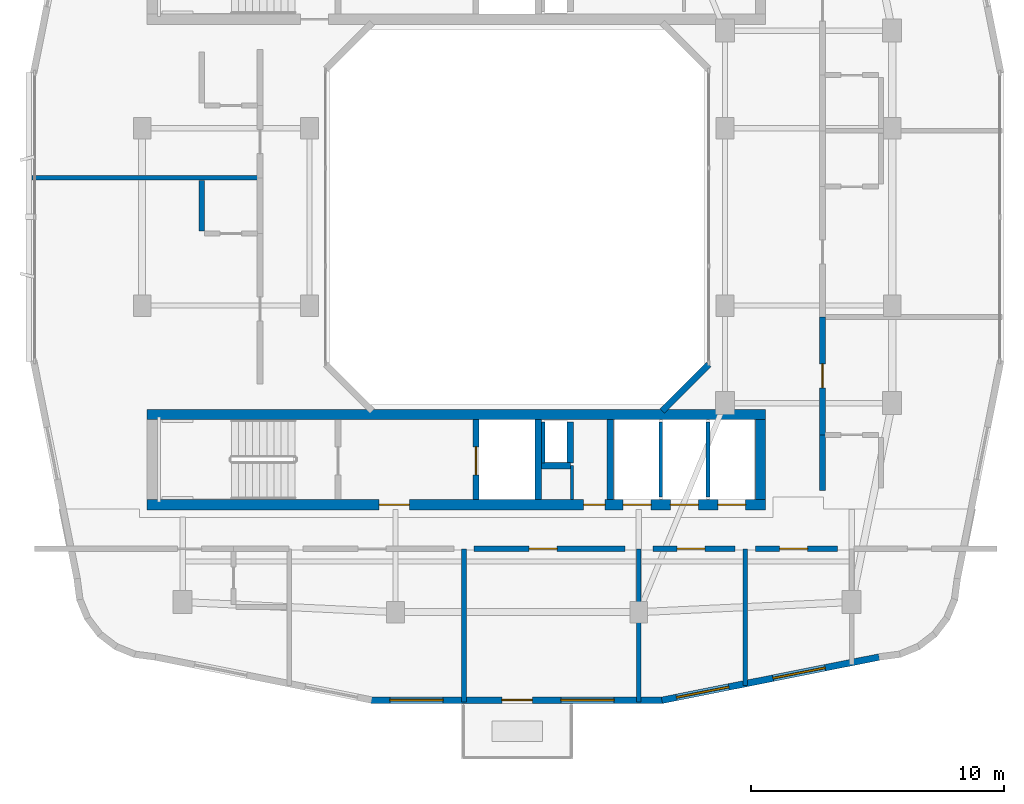
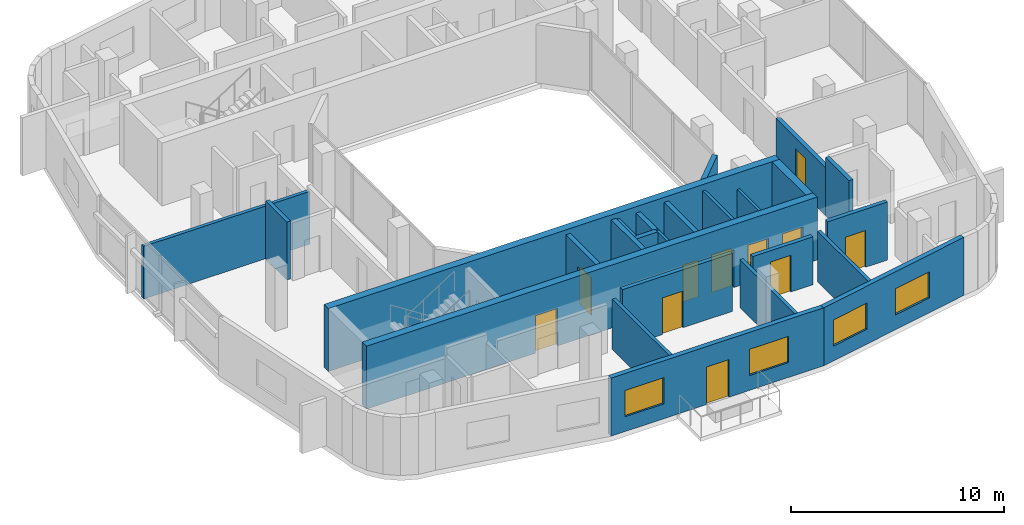
# One storey, part 6 of 13: 25 walls, 11 doors, 4 windows, 15 openings.
"""IFC4 building model written with IfcOpenShell, lengths in metres."""

import ifcopenshell
import ifcopenshell.guid

model = None  # the IFC model being written
_history = None  # IfcOwnerHistory: only IFC2X3 demands one
_inside = {}  # id of a spatial element -> (the spatial element, [elements in it])
_under = {}  # id of a project, library or spatial element -> (it, [spatial elements below it])
_declared = {}  # id of a project -> (the project, [libraries it declares])
_typed = {}  # id of a type object -> (the type object, [elements of that type])
_made_of = {}  # id of a material, layer set ... -> (it, [elements and type objects made of it])


def new_model(schema):
    """Start an empty IFC model of exactly this schema.

    Asked for "IFC4X3", IfcOpenShell would pick the latest addendum, in which some entities
    have other attributes; the version numbers below select the first issue.
    IFC2X3 requires an IfcOwnerHistory on every rooted entity: one is made here for all.
    """
    global model, _history
    if schema == "IFC4X3":
        model = ifcopenshell.file(schema_version=(4, 3, 0, 0))
    else:
        model = ifcopenshell.file(schema=schema)
    _inside.clear()
    _under.clear()
    _declared.clear()
    _typed.clear()
    _made_of.clear()
    _history = None
    if model.schema == "IFC2X3":
        org = make("IfcOrganization", Name="unknown")
        user = make(
            "IfcPersonAndOrganization",
            ThePerson=make("IfcPerson", FamilyName="unknown"),
            TheOrganization=org,
        )
        app = make(
            "IfcApplication",
            ApplicationDeveloper=org,
            Version="unknown",
            ApplicationFullName="unknown",
            ApplicationIdentifier="unknown",
        )
        _history = make(
            "IfcOwnerHistory",
            OwningUser=user,
            OwningApplication=app,
            ChangeAction="ADDED",
            CreationDate=0,
        )
    return model


def make(cls, **values):
    """One entity of the class cls with the attributes given. An attribute that is None is left unset."""
    return model.create_entity(
        cls, **{name: value for name, value in values.items() if value is not None}
    )


def rooted(cls, **values):
    """An entity with a GlobalId (a new one), such as an element, a storey or a relation."""
    return make(cls, GlobalId=ifcopenshell.guid.new(), OwnerHistory=_history, **values)


def si_unit(unit_type, name, prefix=None):
    """IfcSIUnit, for example si_unit("LENGTHUNIT", "METRE", prefix="MILLI")."""
    return make("IfcSIUnit", UnitType=unit_type, Prefix=prefix, Name=name)


def derived_unit(unit_type, elements):
    """IfcDerivedUnit: a product of units, each with its exponent."""
    return make(
        "IfcDerivedUnit",
        Elements=[
            make("IfcDerivedUnitElement", Unit=unit, Exponent=power)
            for unit, power in elements
        ],
        UnitType=unit_type,
    )


def assignment(units):
    """IfcUnitAssignment: the units of a project."""
    return None if units is None else make("IfcUnitAssignment", Units=units)


def point(xyz):
    """IfcCartesianPoint."""
    return None if xyz is None else make("IfcCartesianPoint", Coordinates=xyz)


def direction(xyz):
    """IfcDirection."""
    return None if xyz is None else make("IfcDirection", DirectionRatios=xyz)


def frame(location, z_axis=None, x_axis=None):
    """IfcAxis2Placement3D, a coordinate frame: its origin and axes. An axis left out is left unset."""
    return make(
        "IfcAxis2Placement3D",
        Location=point(location),
        Axis=direction(z_axis),
        RefDirection=direction(x_axis),
    )


def frame_2d(location, x_axis=None):
    """IfcAxis2Placement2D, a coordinate frame in the plane: its origin and x axis."""
    return make(
        "IfcAxis2Placement2D", Location=point(location), RefDirection=direction(x_axis)
    )


def origin():
    """The frame at (0, 0, 0) with its axes left unset."""
    return frame((0.0, 0.0, 0.0))


def place(relative_to, where):
    """IfcLocalPlacement: puts the frame where relative to a parent placement (None: the world)."""
    return make(
        "IfcLocalPlacement", PlacementRelTo=relative_to, RelativePlacement=where
    )


def context(
    kind, dimensions, precision=None, world=None, true_north=None, identifier=None
):
    """IfcGeometricRepresentationContext, for example the 3D "Model" context."""
    return make(
        "IfcGeometricRepresentationContext",
        ContextIdentifier=identifier,
        ContextType=kind,
        CoordinateSpaceDimension=dimensions,
        Precision=precision,
        WorldCoordinateSystem=world,
        TrueNorth=true_north,
    )


def subcontext(parent, identifier, kind, view, scale=None):
    """IfcGeometricRepresentationSubContext, for example "Body" below "Model"."""
    return make(
        "IfcGeometricRepresentationSubContext",
        ContextIdentifier=identifier,
        ContextType=kind,
        ParentContext=parent,
        TargetScale=scale,
        TargetView=view,
    )


def project(units=None, contexts=None):
    """IfcProject with its units and contexts."""
    return rooted(
        "IfcProject",
        Name="project",
        RepresentationContexts=contexts,
        UnitsInContext=assignment(units),
    )


def spatial(cls, under=None, at=None, **own):
    """A site, building, storey or space (cls), placed at a placement, below another one or the project."""
    s = rooted(cls, ObjectPlacement=at, **own)
    if under is not None:
        _under.setdefault(under.id(), (under, []))[1].append(s)
    return s


def profile(cls, at=None, kind="AREA", **sizes):
    """A parametric profile (cls). Its sizes go by their IFC names, for example OverallWidth=200.0."""
    return make(cls, ProfileType=kind, Position=at, **sizes)


def rectangle(**sizes):
    """IfcRectangleProfileDef."""
    return profile("IfcRectangleProfileDef", **sizes)


def extrude(swept, where, along, depth):
    """IfcExtrudedAreaSolid: the profile swept, set in the frame where, extruded along a direction by depth."""
    return make(
        "IfcExtrudedAreaSolid",
        SweptArea=swept,
        Position=where,
        ExtrudedDirection=direction(along),
        Depth=depth,
    )


def shape(context_of_items, identifier, shape_type, items):
    """IfcShapeRepresentation: the items that make up one representation, for example the "Body"."""
    return make(
        "IfcShapeRepresentation",
        ContextOfItems=context_of_items,
        RepresentationIdentifier=identifier,
        RepresentationType=shape_type,
        Items=items,
    )


def material(Name=None, Category=None):
    """IfcMaterial."""
    return make("IfcMaterial", Name=Name, Category=Category)


def layer(
    of_material, thickness, ventilated=None, Name=None, Category=None, Priority=None
):
    """IfcMaterialLayer: one layer of a wall or slab, of a material (None: an air gap)."""
    return make(
        "IfcMaterialLayer",
        Material=of_material,
        LayerThickness=thickness,
        IsVentilated=ventilated,
        Name=Name,
        Category=Category,
        Priority=Priority,
    )


def layer_set(layers, Name=None):
    """IfcMaterialLayerSet."""
    return make("IfcMaterialLayerSet", MaterialLayers=layers, LayerSetName=Name)


def made_of(thing, what):
    """Note that an element or type object is made of a material, layer set ...; save() writes the relation."""
    if what is not None:
        _made_of.setdefault(what.id(), (what, []))[1].append(thing)
    return thing


def type_object(cls, material=None, **own):
    """A type object (cls), such as IfcWallType, which elements share."""
    return made_of(rooted(cls, **own), material)


def element(
    cls,
    number,
    at=None,
    inside=None,
    cuts=None,
    type_object=None,
    material=None,
    context=None,
    identifier="Body",
    shape_type=None,
    held_by="IfcProductDefinitionShape",
    body=None,
    shapes=None,
    **own,
):
    """One element of the class cls, such as IfcWall. Its Tag is "e" and its number.

    at: its placement. inside: the storey or other place that contains it. cuts: it is an
    opening in that element (IfcRelVoidsElement). A single representation is given by context,
    identifier, shape_type and body (its items); several are given by shapes. held_by: the class
    of the entity that holds the representations. save() writes the other relations.
    """
    e = rooted(cls, Tag="e%d" % number, ObjectPlacement=at, **own)
    if body is not None:
        shapes = [shape(context, identifier, shape_type, body)]
    if shapes is not None:
        e.Representation = make(held_by, Representations=shapes)
    if inside is not None:
        _inside.setdefault(inside.id(), (inside, []))[1].append(e)
    if cuts is not None:
        rooted(
            "IfcRelVoidsElement", RelatingBuildingElement=cuts, RelatedOpeningElement=e
        )
    if type_object is not None:
        _typed.setdefault(type_object.id(), (type_object, []))[1].append(e)
    return made_of(e, material)


def fill(opening, filler):
    """IfcRelFillsElement: the door or window that sits in an opening."""
    return rooted(
        "IfcRelFillsElement",
        RelatingOpeningElement=opening,
        RelatedBuildingElement=filler,
    )


def aggregate(whole, parts):
    """IfcRelAggregates: a whole, such as a stair, and the parts it consists of."""
    return rooted("IfcRelAggregates", RelatingObject=whole, RelatedObjects=parts)


def save(model, path):
    """Write the relations noted so far, then the file.

    IfcRelAggregates (storeys below a building ...), IfcRelContainedInSpatialStructure (elements
    in a storey), IfcRelDefinesByType, IfcRelAssociatesMaterial and IfcRelDeclares: one each for
    every whole, place, type object, material and project.
    """
    for whole, parts in _under.values():
        aggregate(whole, parts)
    for where, things in _inside.values():
        rooted(
            "IfcRelContainedInSpatialStructure",
            RelatedElements=things,
            RelatingStructure=where,
        )
    for kind, things in _typed.values():
        rooted("IfcRelDefinesByType", RelatedObjects=things, RelatingType=kind)
    for what, things in _made_of.values():
        rooted("IfcRelAssociatesMaterial", RelatedObjects=things, RelatingMaterial=what)
    for by, libraries in _declared.values():
        rooted("IfcRelDeclares", RelatingContext=by, RelatedDefinitions=libraries)
    model.write(path)


model = new_model("IFC4")

# Units and contexts
model_context = context("Model", 3, precision=1e-05, world=origin(), true_north=direction((0.0, 1.0)))
body_context = subcontext(model_context, "Body", "Model", "MODEL_VIEW")
ifc_project = project(units=[si_unit("LENGTHUNIT", "METRE"), si_unit("AREAUNIT", "SQUARE_METRE"), si_unit("VOLUMEUNIT", "CUBIC_METRE"), si_unit("PLANEANGLEUNIT", "RADIAN"), si_unit("MASSUNIT", "GRAM", prefix="KILO"), derived_unit("THERMALTRANSMITTANCEUNIT", [(si_unit("POWERUNIT", "WATT"), 1), (si_unit("LENGTHUNIT", "METRE"), -2), (si_unit("THERMODYNAMICTEMPERATUREUNIT", "KELVIN"), -1)])], contexts=[model_context])

# Site, building, storey
site_placement = place(None, origin())
site = spatial("IfcSite", under=ifc_project, at=site_placement, CompositionType="ELEMENT")
building_placement = place(site_placement, origin())
building = spatial("IfcBuilding", under=site, at=building_placement, Name="Kivonza Crest Hotel", CompositionType="ELEMENT")
storey_placement = place(building_placement, frame((0.0, 0.0, 231.5)))
storey = spatial("IfcBuildingStorey", under=building, at=storey_placement, Name="L63", CompositionType="ELEMENT", Elevation=231.5)

# Walls
ifc_material_1 = material(Name="High-density acoustic masonry inter-tenancy wall", Category="masonry")
ifc_layer_1 = layer(ifc_material_1, 0.179931640625)
ifc_layer_set_1 = layer_set([ifc_layer_1], Name="High-density acoustic masonry inter-tenancy wall")
wall_type_1 = type_object("IfcWallType", Name="WL-ACOU-180", PredefinedType="SOLIDWALL", material=ifc_layer_set_1)
wall_1_placement = place(storey_placement, frame((18.89990234375, 5.860107421875, 0.0), z_axis=(0.0, 0.0, 1.0), x_axis=(0.0, 1.0, 0.0)))
element("IfcWall", 1, at=wall_1_placement, inside=storey, type_object=wall_type_1, Name="L63 interior partition WA-L63-T1S-SPDIV1", PredefinedType="SOLIDWALL", context=body_context, shape_type="SweptSolid", body=[
    extrude(rectangle(XDim=6.039794921875, YDim=0.179931640625, at=frame_2d((3.02001953125, 0.0))), origin(), (0.0, 0.0, 1.0), 2.89501953125),
])
wall_2_placement = place(storey_placement, frame((25.800048828125, 5.860107421875, 0.0), z_axis=(0.0, 0.0, 1.0), x_axis=(0.0, 1.0, 0.0)))
element("IfcWall", 2, at=wall_2_placement, inside=storey, type_object=wall_type_1, Name="L63 interior partition WA-L63-T1S-DIV2", PredefinedType="SOLIDWALL", context=body_context, shape_type="SweptSolid", body=[
    extrude(rectangle(XDim=6.039794921875, YDim=0.179931640625, at=frame_2d((3.02001953125, 0.0))), origin(), (0.0, 0.0, 1.0), 2.7451171875),
])
wall_3_placement = place(storey_placement, frame((30.0, 6.506103515625, 0.0), z_axis=(0.0, 0.0, 1.0), x_axis=(0.0, 1.0, 0.0)))
element("IfcWall", 3, at=wall_3_placement, inside=storey, type_object=wall_type_1, Name="L63 interior partition WA-L63-T1S-SPDIV2", PredefinedType="SOLIDWALL", context=body_context, shape_type="SweptSolid", body=[
    extrude(rectangle(XDim=5.393798828125, YDim=0.179931640625, at=frame_2d((2.69677734375, 0.0))), origin(), (0.0, 0.0, 1.0), 2.89501953125),
])
wall_4_placement = place(storey_placement, frame((1.860107421875, 26.5400390625, 0.0), z_axis=(0.0, 0.0, 1.0), x_axis=(1.0, 0.0, 0.0)))
element("IfcWall", 4, at=wall_4_placement, inside=storey, type_object=wall_type_1, Name="L63 interior partition WA-L63-T1W-DIV1", PredefinedType="SOLIDWALL", context=body_context, shape_type="SweptSolid", body=[
    extrude(rectangle(XDim=8.989990234375, YDim=0.179931640625, at=frame_2d((4.4951171875, 0.0))), origin(), (0.0, 0.0, 1.0), 3.014892578125),
])

# Wall, opening, door
ifc_material_2 = material(Name="Autoclaved aerated concrete blockwork", Category="masonry")
ifc_layer_2 = layer(ifc_material_2, 0.219970703125)
ifc_layer_set_2 = layer_set([ifc_layer_2], Name="Autoclaved aerated concrete blockwork")
wall_type_2 = type_object("IfcWallType", Name="WL-ACOU-220", PredefinedType="SOLIDWALL", material=ifc_layer_set_2)
wall_5_placement = place(storey_placement, frame((19.300048828125, 11.89990234375, 0.0), z_axis=(0.0, 0.0, 1.0), x_axis=(1.0, 0.0, 0.0)))
wall_5 = element("IfcWall", 5, at=wall_5_placement, inside=storey, type_object=wall_type_2, Name="L63 interior partition WA-L63-Z4-SOFF1B-N", PredefinedType="SOLIDWALL", context=body_context, shape_type="SweptSolid", body=[
    extrude(rectangle(XDim=5.949951171875, YDim=0.219970703125, at=frame_2d((2.97509765625, 0.0))), origin(), (0.0, 0.0, 1.0), 3.320068359375),
])
opening_1_placement = place(wall_5_placement, frame((2.173095703125, 0.0, 0.0)))
opening_1 = element("IfcOpeningElement", 6, at=opening_1_placement, cuts=wall_5, Name="Opening DF-60M", PredefinedType="OPENING", context=body_context, shape_type="SweptSolid", body=[
    extrude(rectangle(XDim=1.10009765625, YDim=2.10009765625, at=frame_2d((0.550048828125, 1.050048828125))), frame((0.0, 0.1201171875, 0.0), z_axis=(0.0, -1.0, 0.0), x_axis=(1.0, 0.0, 0.0)), (0.0, 0.0, 1.0), 0.239990234375),
])
ifc_material_3 = material(Name="Hardwood timber oak", Category="wood")
door_type_1 = type_object("IfcDoorType", Name="DR-FD60-1100", OperationType="NOTDEFINED", PredefinedType="DOOR", material=ifc_material_3)
door_1_placement = place(opening_1_placement, frame((1.10009765625, 0.0, 0.0), z_axis=(0.0, 0.0, 1.0), x_axis=(-1.0, 0.0, 0.0)))
door_1 = element("IfcDoor", 7, at=door_1_placement, inside=storey, type_object=door_type_1, Name="L63 High-Zone Secretarial Office door", OperationType="SINGLE_SWING_LEFT", OverallHeight=2.10009765625, OverallWidth=1.10009765625, PredefinedType="DOOR", context=body_context, shape_type="SweptSolid", body=[
    extrude(rectangle(XDim=1.10009765625, YDim=2.10009765625, at=frame_2d((0.550048828125, 1.050048828125))), frame((0.0, 0.02490234375, 0.0), z_axis=(0.0, -1.0, 0.0), x_axis=(1.0, 0.0, 0.0)), (0.0, 0.0, 1.0), 0.050048828125),
])
fill(opening_1, door_1)

wall_6_placement = place(storey_placement, frame((26.35009765625, 11.89990234375, 0.0), z_axis=(0.0, 0.0, 1.0), x_axis=(1.0, 0.0, 0.0)))
wall_6 = element("IfcWall", 8, at=wall_6_placement, inside=storey, type_object=wall_type_2, Name="L63 interior partition WA-L63-Z4-SOFF2A-N", PredefinedType="SOLIDWALL", context=body_context, shape_type="SweptSolid", body=[
    extrude(rectangle(XDim=3.25, YDim=0.219970703125, at=frame_2d((1.625, 0.0))), origin(), (0.0, 0.0, 1.0), 2.7451171875),
])
opening_2_placement = place(wall_6_placement, frame((0.95703125, 0.0, 0.0)))
opening_2 = element("IfcOpeningElement", 9, at=opening_2_placement, cuts=wall_6, Name="Opening DF-60M", PredefinedType="OPENING", context=body_context, shape_type="SweptSolid", body=[
    extrude(rectangle(XDim=1.10009765625, YDim=2.10009765625, at=frame_2d((0.550048828125, 1.050048828125))), frame((0.0, 0.1201171875, 0.0), z_axis=(0.0, -1.0, 0.0), x_axis=(1.0, 0.0, 0.0)), (0.0, 0.0, 1.0), 0.239990234375),
])
door_2_placement = place(opening_2_placement, frame((1.10009765625, 0.0, 0.0), z_axis=(0.0, 0.0, 1.0), x_axis=(-1.0, 0.0, 0.0)))
door_2 = element("IfcDoor", 10, at=door_2_placement, inside=storey, type_object=door_type_1, Name="L63 High-Zone Executive Study Office door", OperationType="SINGLE_SWING_RIGHT", OverallHeight=2.10009765625, OverallWidth=1.10009765625, PredefinedType="DOOR", context=body_context, shape_type="SweptSolid", body=[
    extrude(rectangle(XDim=1.10009765625, YDim=2.10009765625, at=frame_2d((0.550048828125, 1.050048828125))), frame((0.0, 0.02490234375, 0.0), z_axis=(0.0, -1.0, 0.0), x_axis=(1.0, 0.0, 0.0)), (0.0, 0.0, 1.0), 0.050048828125),
])
fill(opening_2, door_2)

wall_7_placement = place(storey_placement, frame((30.39990234375, 11.89990234375, 0.0), z_axis=(0.0, 0.0, 1.0), x_axis=(1.0, 0.0, 0.0)))
wall_7 = element("IfcWall", 11, at=wall_7_placement, inside=storey, type_object=wall_type_2, Name="L63 interior partition WA-L63-Z4-SOFF2B-N", PredefinedType="SOLIDWALL", context=body_context, shape_type="SweptSolid", body=[
    extrude(rectangle(XDim=3.25, YDim=0.219970703125, at=frame_2d((1.625, 0.0))), origin(), (0.0, 0.0, 1.0), 3.320068359375),
])
opening_3_placement = place(wall_7_placement, frame((0.95703125, 0.0, 0.0)))
opening_3 = element("IfcOpeningElement", 12, at=opening_3_placement, cuts=wall_7, Name="Opening DF-60M", PredefinedType="OPENING", context=body_context, shape_type="SweptSolid", body=[
    extrude(rectangle(XDim=1.10009765625, YDim=2.10009765625, at=frame_2d((0.550048828125, 1.050048828125))), frame((0.0, 0.1201171875, 0.0), z_axis=(0.0, -1.0, 0.0), x_axis=(1.0, 0.0, 0.0)), (0.0, 0.0, 1.0), 0.239990234375),
])
door_3_placement = place(opening_3_placement, frame((1.10009765625, 0.0, 0.0), z_axis=(0.0, 0.0, 1.0), x_axis=(-1.0, 0.0, 0.0)))
door_3 = element("IfcDoor", 13, at=door_3_placement, inside=storey, type_object=door_type_1, Name="L63 High-Zone Secretarial Office door", OperationType="SINGLE_SWING_LEFT", OverallHeight=2.10009765625, OverallWidth=1.10009765625, PredefinedType="DOOR", context=body_context, shape_type="SweptSolid", body=[
    extrude(rectangle(XDim=1.10009765625, YDim=2.10009765625, at=frame_2d((0.550048828125, 1.050048828125))), frame((0.0, 0.02490234375, 0.0), z_axis=(0.0, -1.0, 0.0), x_axis=(1.0, 0.0, 0.0)), (0.0, 0.0, 1.0), 0.050048828125),
])
fill(opening_3, door_3)

# Wall
wall_8_placement = place(storey_placement, frame((33.050048828125, 14.199951171875, 0.0), z_axis=(0.0, 0.0, 1.0), x_axis=(0.0, 1.0, 0.0)))
element("IfcWall", 14, at=wall_8_placement, inside=storey, type_object=wall_type_2, Name="L63 interior partition WA-L63-E06-BCORR", PredefinedType="SOLIDWALL", context=body_context, shape_type="SweptSolid", body=[
    extrude(rectangle(XDim=2.199951171875, YDim=0.219970703125, at=frame_2d((1.10009765625, 0.0))), origin(), (0.0, 0.0, 1.0), 3.320068359375),
])

# Wall, opening, door
wall_9_placement = place(storey_placement, frame((33.050048828125, 16.39990234375, 0.0), z_axis=(0.0, 0.0, 1.0), x_axis=(0.0, 1.0, 0.0)))
wall_9 = element("IfcWall", 15, at=wall_9_placement, inside=storey, type_object=wall_type_2, Name="L63 interior partition WA-L63-E06-MCORR", PredefinedType="SOLIDWALL", context=body_context, shape_type="SweptSolid", body=[
    extrude(rectangle(XDim=4.649169921875, YDim=0.219970703125, at=frame_2d((2.32470703125, 0.0))), origin(), (0.0, 0.0, 1.0), 2.7451171875),
])
opening_4_placement = place(wall_9_placement, frame((1.85009765625, 0.0, 0.0)))
opening_4 = element("IfcOpeningElement", 16, at=opening_4_placement, cuts=wall_9, Name="Opening DU-60", PredefinedType="OPENING", context=body_context, shape_type="SweptSolid", body=[
    extrude(rectangle(XDim=0.949951171875, YDim=2.10009765625, at=frame_2d((0.47509765625, 1.050048828125))), frame((0.0, 0.1201171875, 0.0), z_axis=(0.0, -1.0, 0.0), x_axis=(1.0, 0.0, 0.0)), (0.0, 0.0, 1.0), 0.239990234375),
])
door_type_2 = type_object("IfcDoorType", Name="DR-UNIT-950", OperationType="NOTDEFINED", PredefinedType="DOOR", material=ifc_material_3)
door_4_placement = place(opening_4_placement, frame((0.949951171875, 0.0, 0.0), z_axis=(0.0, 0.0, 1.0), x_axis=(-1.0, 0.0, 0.0)))
door_4 = element("IfcDoor", 17, at=door_4_placement, inside=storey, type_object=door_type_2, Name="L63 E06 guest unit entrance fire door", OperationType="SINGLE_SWING_RIGHT", OverallHeight=2.10009765625, OverallWidth=0.949951171875, PredefinedType="DOOR", context=body_context, shape_type="SweptSolid", body=[
    extrude(rectangle(XDim=0.949951171875, YDim=2.10009765625, at=frame_2d((0.47509765625, 1.050048828125))), frame((0.0, 0.02490234375, 0.0), z_axis=(0.0, -1.0, 0.0), x_axis=(1.0, 0.0, 0.0)), (0.0, 0.0, 1.0), 0.050048828125),
])
fill(opening_4, door_4)

# Wall, openings, doors
ifc_material_4 = material(Name="Concrete C50/60", Category="concrete")
ifc_layer_3 = layer(ifc_material_4, 0.39990234375)
ifc_layer_set_3 = layer_set([ifc_layer_3], Name="Concrete C50/60")
wall_type_3 = type_object("IfcWallType", Name="WL-CORE-400", PredefinedType="SHEAR", material=ifc_layer_set_3)
wall_10_placement = place(storey_placement, frame((6.39990234375, 13.639892578125, 0.0), z_axis=(0.0, 0.0, 1.0), x_axis=(1.0, 0.0, 0.0)))
wall_10 = element("IfcWall", 18, at=wall_10_placement, inside=storey, type_object=wall_type_3, Name="Core wall T1-S South L63", PredefinedType="SHEAR", context=body_context, shape_type="SweptSolid", body=[
    extrude(rectangle(XDim=24.400146484375, YDim=0.39990234375, at=frame_2d((12.2001953125, 0.0))), origin(), (0.0, 0.0, 1.0), 3.60009765625),
])
opening_5_placement = place(wall_10_placement, frame((9.14990234375, 0.0, 0.0)))
opening_5 = element("IfcOpeningElement", 19, at=opening_5_placement, cuts=wall_10, Name="Opening DF-60", PredefinedType="OPENING", context=body_context, shape_type="SweptSolid", body=[
    extrude(rectangle(XDim=1.199951171875, YDim=2.14990234375, at=frame_2d((0.60009765625, 1.074951171875))), frame((0.0, 0.2099609375, 0.0), z_axis=(0.0, -1.0, 0.0), x_axis=(1.0, 0.0, 0.0)), (0.0, 0.0, 1.0), 0.419921875),
])
opening_6_placement = place(wall_10_placement, frame((17.219970703125, 0.0, 0.0)))
opening_6 = element("IfcOpeningElement", 20, at=opening_6_placement, cuts=wall_10, Name="Opening DF-60R", PredefinedType="OPENING", context=body_context, shape_type="SweptSolid", body=[
    extrude(rectangle(XDim=0.85009765625, YDim=2.10009765625, at=frame_2d((0.425048828125, 1.050048828125))), frame((0.0, 0.2099609375, 0.0), z_axis=(0.0, -1.0, 0.0), x_axis=(1.0, 0.0, 0.0)), (0.0, 0.0, 1.0), 0.419921875),
])
opening_7_placement = place(wall_10_placement, frame((18.782958984375, 0.0, 0.0)))
opening_7 = element("IfcOpeningElement", 21, at=opening_7_placement, cuts=wall_10, Name="Opening LD-120", PredefinedType="OPENING", context=body_context, shape_type="SweptSolid", body=[
    extrude(rectangle(XDim=1.10009765625, YDim=2.14990234375, at=frame_2d((0.550048828125, 1.074951171875))), frame((0.0, 0.2099609375, 0.0), z_axis=(0.0, -1.0, 0.0), x_axis=(1.0, 0.0, 0.0)), (0.0, 0.0, 1.0), 0.419921875),
])
opening_8_placement = place(wall_10_placement, frame((20.64990234375, 0.0, 0.0)))
opening_8 = element("IfcOpeningElement", 22, at=opening_8_placement, cuts=wall_10, Name="Opening LD-120", PredefinedType="OPENING", context=body_context, shape_type="SweptSolid", body=[
    extrude(rectangle(XDim=1.10009765625, YDim=2.14990234375, at=frame_2d((0.550048828125, 1.074951171875))), frame((0.0, 0.2099609375, 0.0), z_axis=(0.0, -1.0, 0.0), x_axis=(1.0, 0.0, 0.0)), (0.0, 0.0, 1.0), 0.419921875),
])
opening_9_placement = place(wall_10_placement, frame((22.51708984375, 0.0, 0.0)))
opening_9 = element("IfcOpeningElement", 23, at=opening_9_placement, cuts=wall_10, Name="Opening LD-120", PredefinedType="OPENING", context=body_context, shape_type="SweptSolid", body=[
    extrude(rectangle(XDim=1.10009765625, YDim=2.14990234375, at=frame_2d((0.550048828125, 1.074951171875))), frame((0.0, 0.2099609375, 0.0), z_axis=(0.0, -1.0, 0.0), x_axis=(1.0, 0.0, 0.0)), (0.0, 0.0, 1.0), 0.419921875),
])
door_type_3 = type_object("IfcDoorType", Name="DR-FD60-1200", OperationType="NOTDEFINED", PredefinedType="DOOR", material=ifc_material_3)
door_5_placement = place(opening_5_placement, frame((1.199951171875, 0.0, 0.0), z_axis=(0.0, 0.0, 1.0), x_axis=(-1.0, 0.0, 0.0)))
door_5 = element("IfcDoor", 24, at=door_5_placement, inside=storey, type_object=door_type_3, Name="L63 T1-S firefighting lobby fire door", OperationType="SINGLE_SWING_LEFT", OverallHeight=2.14990234375, OverallWidth=1.199951171875, PredefinedType="DOOR", context=body_context, shape_type="SweptSolid", body=[
    extrude(rectangle(XDim=1.199951171875, YDim=2.14990234375, at=frame_2d((0.60009765625, 1.074951171875))), frame((0.0, 0.02490234375, 0.0), z_axis=(0.0, -1.0, 0.0), x_axis=(1.0, 0.0, 0.0)), (0.0, 0.0, 1.0), 0.050048828125),
])
fill(opening_5, door_5)
door_type_4 = type_object("IfcDoorType", Name="DR-FD60-850", OperationType="NOTDEFINED", PredefinedType="DOOR", material=ifc_material_3)
door_6_placement = place(opening_6_placement, frame((0.85009765625, 0.0, 0.0), z_axis=(0.0, 0.0, 1.0), x_axis=(-1.0, 0.0, 0.0)))
door_6 = element("IfcDoor", 25, at=door_6_placement, inside=storey, type_object=door_type_4, Name="L63 T1-S core room door", OperationType="SINGLE_SWING_RIGHT", OverallHeight=2.10009765625, OverallWidth=0.85009765625, PredefinedType="DOOR", context=body_context, shape_type="SweptSolid", body=[
    extrude(rectangle(XDim=0.85009765625, YDim=2.10009765625, at=frame_2d((0.425048828125, 1.050048828125))), frame((0.0, 0.02490234375, 0.0), z_axis=(0.0, -1.0, 0.0), x_axis=(1.0, 0.0, 0.0)), (0.0, 0.0, 1.0), 0.050048828125),
])
fill(opening_6, door_6)
ifc_material_5 = material(Name="Stainless steel", Category="steel")
door_type_5 = type_object("IfcDoorType", Name="DR-LD120-1100", OperationType="NOTDEFINED", PredefinedType="DOOR", material=ifc_material_5)
door_7_placement = place(opening_7_placement, frame((1.10009765625, 0.0, 0.0), z_axis=(0.0, 0.0, 1.0), x_axis=(-1.0, 0.0, 0.0)))
door_7 = element("IfcDoor", 26, at=door_7_placement, inside=storey, type_object=door_type_5, Name="L63 PL-T1-H1 passenger lift sliding landing door", OperationType="DOUBLE_DOOR_SLIDING", OverallHeight=2.14990234375, OverallWidth=1.10009765625, PredefinedType="DOOR", context=body_context, shape_type="SweptSolid", body=[
    extrude(rectangle(XDim=1.10009765625, YDim=2.14990234375, at=frame_2d((0.550048828125, 1.074951171875))), frame((0.0, 0.02490234375, 0.0), z_axis=(0.0, -1.0, 0.0), x_axis=(1.0, 0.0, 0.0)), (0.0, 0.0, 1.0), 0.050048828125),
])
fill(opening_7, door_7)
door_8_placement = place(opening_8_placement, frame((1.10009765625, 0.0, 0.0), z_axis=(0.0, 0.0, 1.0), x_axis=(-1.0, 0.0, 0.0)))
door_8 = element("IfcDoor", 27, at=door_8_placement, inside=storey, type_object=door_type_5, Name="L63 PL-T1-H2 passenger lift sliding landing door", OperationType="DOUBLE_DOOR_SLIDING", OverallHeight=2.14990234375, OverallWidth=1.10009765625, PredefinedType="DOOR", context=body_context, shape_type="SweptSolid", body=[
    extrude(rectangle(XDim=1.10009765625, YDim=2.14990234375, at=frame_2d((0.550048828125, 1.074951171875))), frame((0.0, 0.02490234375, 0.0), z_axis=(0.0, -1.0, 0.0), x_axis=(1.0, 0.0, 0.0)), (0.0, 0.0, 1.0), 0.050048828125),
])
fill(opening_8, door_8)
door_9_placement = place(opening_9_placement, frame((1.10009765625, 0.0, 0.0), z_axis=(0.0, 0.0, 1.0), x_axis=(-1.0, 0.0, 0.0)))
door_9 = element("IfcDoor", 28, at=door_9_placement, inside=storey, type_object=door_type_5, Name="L63 PL-T1-H3 passenger lift sliding landing door", OperationType="DOUBLE_DOOR_SLIDING", OverallHeight=2.14990234375, OverallWidth=1.10009765625, PredefinedType="DOOR", context=body_context, shape_type="SweptSolid", body=[
    extrude(rectangle(XDim=1.10009765625, YDim=2.14990234375, at=frame_2d((0.550048828125, 1.074951171875))), frame((0.0, 0.02490234375, 0.0), z_axis=(0.0, -1.0, 0.0), x_axis=(1.0, 0.0, 0.0)), (0.0, 0.0, 1.0), 0.050048828125),
])
fill(opening_9, door_9)

# Walls
wall_11_placement = place(storey_placement, frame((6.39990234375, 17.199951171875, 0.0), z_axis=(0.0, 0.0, 1.0), x_axis=(1.0, 0.0, 0.0)))
element("IfcWall", 29, at=wall_11_placement, inside=storey, type_object=wall_type_3, Name="Core wall T1-S North L63", PredefinedType="SHEAR", context=body_context, shape_type="SweptSolid", body=[
    extrude(rectangle(XDim=24.400146484375, YDim=0.39990234375, at=frame_2d((12.2001953125, 0.0))), origin(), (0.0, 0.0, 1.0), 3.60009765625),
])
wall_12_placement = place(storey_placement, frame((30.60009765625, 13.840087890625, 0.0), z_axis=(0.0, 0.0, 1.0), x_axis=(0.0, 1.0, 0.0)))
element("IfcWall", 30, at=wall_12_placement, inside=storey, type_object=wall_type_3, Name="Core wall T1-S East L63", PredefinedType="SHEAR", context=body_context, shape_type="SweptSolid", body=[
    extrude(rectangle(XDim=3.159912109375, YDim=0.39990234375, at=frame_2d((1.580078125, 0.0))), origin(), (0.0, 0.0, 1.0), 3.60009765625),
])

# Wall, openings, door, windows
ifc_material_6 = material(Name="Precast concrete C40/50", Category="concrete")
ifc_layer_4 = layer(ifc_material_6, 0.260009765625)
ifc_layer_set_4 = layer_set([ifc_layer_4], Name="Precast concrete C40/50")
wall_type_4 = type_object("IfcWallType", Name="WL-EXT-260", PredefinedType="STANDARD", material=ifc_layer_set_4)
wall_13_placement = place(storey_placement, frame((15.215087890625, 5.929931640625, 0.0), z_axis=(0.0, 0.0, 1.0), x_axis=(1.0, 0.0, 0.0)))
wall_13 = element("IfcWall", 31, at=wall_13_placement, inside=storey, type_object=wall_type_4, Name="L63 T1 exterior insulated wall 8", PredefinedType="STANDARD", context=body_context, shape_type="SweptSolid", body=[
    extrude(rectangle(XDim=11.534912109375, YDim=0.260009765625, at=frame_2d((5.767578125, 0.0))), origin(), (0.0, 0.0, 1.0), 3.320068359375),
])
opening_10_placement = place(wall_13_placement, frame((5.18505859375, 0.0, 0.0)))
opening_10 = element("IfcOpeningElement", 32, at=opening_10_placement, cuts=wall_13, Name="Opening DT-120", PredefinedType="OPENING", context=body_context, shape_type="SweptSolid", body=[
    extrude(rectangle(XDim=1.199951171875, YDim=2.14990234375, at=frame_2d((0.60009765625, 1.074951171875))), frame((0.0, 0.14013671875, 0.0), z_axis=(0.0, -1.0, 0.0), x_axis=(1.0, 0.0, 0.0)), (0.0, 0.0, 1.0), 0.280029296875),
])
opening_11_placement = place(wall_13_placement, frame((0.761962890625, 0.0, 0.85009765625)))
opening_11 = element("IfcOpeningElement", 33, at=opening_11_placement, cuts=wall_13, Name="Opening WN-04", PredefinedType="OPENING", context=body_context, shape_type="SweptSolid", body=[
    extrude(rectangle(XDim=2.10009765625, YDim=1.5, at=frame_2d((1.050048828125, 0.75))), frame((0.0, 0.14013671875, 0.0), z_axis=(0.0, -1.0, 0.0), x_axis=(1.0, 0.0, 0.0)), (0.0, 0.0, 1.0), 0.280029296875),
])
opening_12_placement = place(wall_13_placement, frame((7.510009765625, 0.0, 0.85009765625)))
opening_12 = element("IfcOpeningElement", 34, at=opening_12_placement, cuts=wall_13, Name="Opening WN-04", PredefinedType="OPENING", context=body_context, shape_type="SweptSolid", body=[
    extrude(rectangle(XDim=2.10009765625, YDim=1.5, at=frame_2d((1.050048828125, 0.75))), frame((0.0, 0.14013671875, 0.0), z_axis=(0.0, -1.0, 0.0), x_axis=(1.0, 0.0, 0.0)), (0.0, 0.0, 1.0), 0.280029296875),
])
ifc_material_7 = material(Name="Anodised bronze aluminium and laminated safety glass", Category="aluminium")
door_type_6 = type_object("IfcDoorType", Name="DR-TERR-1200", OperationType="NOTDEFINED", PredefinedType="DOOR", material=ifc_material_7)
door_10_placement = place(opening_10_placement, frame((1.199951171875, 0.0, 0.0), z_axis=(0.0, 0.0, 1.0), x_axis=(-1.0, 0.0, 0.0)))
door_10 = element("IfcDoor", 35, at=door_10_placement, inside=storey, type_object=door_type_6, Name="T1 L63 SW sky-garden bridge access door", OperationType="SINGLE_SWING_LEFT", OverallHeight=2.14990234375, OverallWidth=1.199951171875, PredefinedType="DOOR", context=body_context, shape_type="SweptSolid", body=[
    extrude(rectangle(XDim=1.199951171875, YDim=2.14990234375, at=frame_2d((0.60009765625, 1.074951171875))), frame((0.0, 0.02490234375, 0.0), z_axis=(0.0, -1.0, 0.0), x_axis=(1.0, 0.0, 0.0)), (0.0, 0.0, 1.0), 0.050048828125),
])
fill(opening_10, door_10)
ifc_material_8 = material(Name="Thermally broken bronze aluminium and low-E double glazing", Category="aluminium")
window_type = type_object("IfcWindowType", Name="WN-210x150", PartitioningType="DOUBLE_PANEL_VERTICAL", PredefinedType="WINDOW", material=ifc_material_8)
window_1_placement = place(opening_11_placement, origin())
window_1 = element("IfcWindow", 36, at=window_1_placement, inside=storey, type_object=window_type, Name="L63 T1 facade window 8 bay 1", OverallHeight=1.5, OverallWidth=2.10009765625, PartitioningType="SINGLE_PANEL", PredefinedType="WINDOW", context=body_context, shape_type="SweptSolid", body=[
    extrude(rectangle(XDim=2.10009765625, YDim=1.5, at=frame_2d((1.050048828125, 0.75))), frame((0.0, 0.030029296875, 0.0), z_axis=(0.0, -1.0, 0.0), x_axis=(1.0, 0.0, 0.0)), (0.0, 0.0, 1.0), 0.06005859375),
])
fill(opening_11, window_1)
window_2_placement = place(opening_12_placement, origin())
window_2 = element("IfcWindow", 37, at=window_2_placement, inside=storey, type_object=window_type, Name="L63 T1 facade window 8 bay 2", OverallHeight=1.5, OverallWidth=2.10009765625, PartitioningType="SINGLE_PANEL", PredefinedType="WINDOW", context=body_context, shape_type="SweptSolid", body=[
    extrude(rectangle(XDim=2.10009765625, YDim=1.5, at=frame_2d((1.050048828125, 0.75))), frame((0.0, 0.030029296875, 0.0), z_axis=(0.0, -1.0, 0.0), x_axis=(1.0, 0.0, 0.0)), (0.0, 0.0, 1.0), 0.06005859375),
])
fill(opening_12, window_2)

# Wall, openings, windows
wall_14_placement = place(storey_placement, frame((26.7099609375, 5.922119140625, 0.0), z_axis=(0.0, 0.0, 1.0), x_axis=(0.980752174324, 0.195256683773, 0.0)))
wall_14 = element("IfcWall", 38, at=wall_14_placement, inside=storey, type_object=wall_type_4, Name="L63 T1 exterior insulated wall 9", PredefinedType="STANDARD", context=body_context, shape_type="SweptSolid", body=[
    extrude(rectangle(XDim=8.7412109375, YDim=0.260009765625, at=frame_2d((4.37060546875, 0.0))), origin(), (0.0, 0.0, 1.0), 3.320068359375),
])
opening_13_placement = place(wall_14_placement, frame((0.590087890625, 0.0, 0.85009765625)))
opening_13 = element("IfcOpeningElement", 39, at=opening_13_placement, cuts=wall_14, Name="Opening WN-04", PredefinedType="OPENING", context=body_context, shape_type="SweptSolid", body=[
    extrude(rectangle(XDim=2.10009765625, YDim=1.5, at=frame_2d((1.050048828125, 0.75))), frame((0.0, 0.14013671875, 0.0), z_axis=(0.0, -1.0, 0.0), x_axis=(1.0, 0.0, 0.0)), (0.0, 0.0, 1.0), 0.280029296875),
])
opening_14_placement = place(wall_14_placement, frame((4.470947265625, 0.0, 0.85009765625)))
opening_14 = element("IfcOpeningElement", 40, at=opening_14_placement, cuts=wall_14, Name="Opening WN-04", PredefinedType="OPENING", context=body_context, shape_type="SweptSolid", body=[
    extrude(rectangle(XDim=2.10009765625, YDim=1.5, at=frame_2d((1.050048828125, 0.75))), frame((0.0, 0.14013671875, 0.0), z_axis=(0.0, -1.0, 0.0), x_axis=(1.0, 0.0, 0.0)), (0.0, 0.0, 1.0), 0.280029296875),
])
window_3_placement = place(opening_13_placement, origin())
window_3 = element("IfcWindow", 41, at=window_3_placement, inside=storey, type_object=window_type, Name="L63 T1 facade window 9 bay 1", OverallHeight=1.5, OverallWidth=2.10009765625, PartitioningType="SINGLE_PANEL", PredefinedType="WINDOW", context=body_context, shape_type="SweptSolid", body=[
    extrude(rectangle(XDim=2.10009765625, YDim=1.5, at=frame_2d((1.050048828125, 0.75))), frame((0.0, 0.030029296875, 0.0), z_axis=(0.0, -1.0, 0.0), x_axis=(1.0, 0.0, 0.0)), (0.0, 0.0, 1.0), 0.06005859375),
])
fill(opening_13, window_3)
window_4_placement = place(opening_14_placement, origin())
window_4 = element("IfcWindow", 42, at=window_4_placement, inside=storey, type_object=window_type, Name="L63 T1 facade window 9 bay 2", OverallHeight=1.5, OverallWidth=2.10009765625, PartitioningType="SINGLE_PANEL", PredefinedType="WINDOW", context=body_context, shape_type="SweptSolid", body=[
    extrude(rectangle(XDim=2.10009765625, YDim=1.5, at=frame_2d((1.050048828125, 0.75))), frame((0.0, 0.030029296875, 0.0), z_axis=(0.0, -1.0, 0.0), x_axis=(1.0, 0.0, 0.0)), (0.0, 0.0, 1.0), 0.06005859375),
])
fill(opening_14, window_4)

# Walls
wall_15_placement = place(storey_placement, frame((26.721923828125, 17.337890625, 0.0), z_axis=(0.0, 0.0, 1.0), x_axis=(0.707059717605, 0.707153841636, 0.0)))
element("IfcWall", 43, at=wall_15_placement, inside=storey, type_object=wall_type_4, Name="L63 T1 light-well exterior wall 2", PredefinedType="STANDARD", context=body_context, shape_type="SweptSolid", body=[
    extrude(rectangle(XDim=2.59375, YDim=0.260009765625, at=frame_2d((1.296875, 0.0))), origin(), (0.0, 0.0, 1.0), 3.320068359375),
])
ifc_material_9 = material(Name="Concrete blockwork fire-compartment wall", Category="masonry")
ifc_layer_5 = layer(ifc_material_9, 0.25)
ifc_layer_set_5 = layer_set([ifc_layer_5], Name="Concrete blockwork fire-compartment wall")
wall_type_5 = type_object("IfcWallType", Name="WL-FIRE-250", PredefinedType="SOLIDWALL", material=ifc_layer_set_5)
wall_16_placement = place(storey_placement, frame((23.10009765625, 15.280029296875, 0.0), z_axis=(0.0, 0.0, 1.0), x_axis=(0.0, 1.0, 0.0)))
element("IfcWall", 44, at=wall_16_placement, inside=storey, type_object=wall_type_5, Name="L63 interior partition WA-L63-T1-S-MEPR-E", PredefinedType="SOLIDWALL", context=body_context, shape_type="SweptSolid", body=[
    extrude(rectangle(XDim=1.619873046875, YDim=0.25, at=frame_2d((0.81005859375, 0.0))), origin(), (0.0, 0.0, 1.0), 3.320068359375),
])
wall_17_placement = place(storey_placement, frame((21.949951171875, 15.179931640625, 0.0), z_axis=(0.0, 0.0, 1.0), x_axis=(1.0, 0.0, 0.0)))
element("IfcWall", 45, at=wall_17_placement, inside=storey, type_object=wall_type_5, Name="L63 interior partition WA-L63-T1-S-MEPR-H", PredefinedType="SOLIDWALL", context=body_context, shape_type="SweptSolid", body=[
    extrude(rectangle(XDim=1.150146484375, YDim=0.25, at=frame_2d((0.5751953125, 0.0))), origin(), (0.0, 0.0, 1.0), 3.320068359375),
])
ifc_material_10 = material(Name="Metal-stud gypsum board partition", Category="gypsum")
ifc_layer_6 = layer(ifc_material_10, 0.125)
ifc_layer_set_6 = layer_set([ifc_layer_6], Name="Metal-stud gypsum board partition")
wall_type_6 = type_object("IfcWallType", Name="WL-PART-125", PredefinedType="PARTITIONING", material=ifc_layer_set_6)
wall_18_placement = place(storey_placement, frame((23.159912109375, 13.840087890625, 0.0), z_axis=(0.0, 0.0, 1.0), x_axis=(0.0, 1.0, 0.0)))
element("IfcWall", 46, at=wall_18_placement, inside=storey, type_object=wall_type_6, Name="L63 interior partition WP-L63-T1-S-SV1V", PredefinedType="PARTITIONING", context=body_context, shape_type="SweptSolid", body=[
    extrude(rectangle(XDim=1.33984375, YDim=0.125, at=frame_2d((0.669921875, 0.0))), origin(), (0.0, 0.0, 1.0), 3.320068359375),
])
ifc_material_11 = material(Name="Twin-stud acoustic gypsum board partition", Category="gypsum")
ifc_layer_7 = layer(ifc_material_11, 0.14990234375)
ifc_layer_set_7 = layer_set([ifc_layer_7], Name="Twin-stud acoustic gypsum board partition")
wall_type_7 = type_object("IfcWallType", Name="WL-PART-150", PredefinedType="PARTITIONING", material=ifc_layer_set_7)
wall_19_placement = place(storey_placement, frame((22.030029296875, 15.280029296875, 0.0), z_axis=(0.0, 0.0, 1.0), x_axis=(0.0, 1.0, 0.0)))
element("IfcWall", 47, at=wall_19_placement, inside=storey, type_object=wall_type_7, Name="L63 interior partition WA-L63-T1-S-MEPR-W", PredefinedType="PARTITIONING", context=body_context, shape_type="SweptSolid", body=[
    extrude(rectangle(XDim=1.619873046875, YDim=0.14990234375, at=frame_2d((0.81005859375, 0.0))), origin(), (0.0, 0.0, 1.0), 3.320068359375),
])
wall_20_placement = place(storey_placement, frame((26.6669921875, 13.93994140625, 0.0), z_axis=(0.0, 0.0, 1.0), x_axis=(0.0, 1.0, 0.0)))
element("IfcWall", 48, at=wall_20_placement, inside=storey, type_object=wall_type_7, Name="L63 interior partition WP-L63-T1-S-BSH-1", PredefinedType="PARTITIONING", context=body_context, shape_type="SweptSolid", body=[
    extrude(rectangle(XDim=2.9599609375, YDim=0.14990234375, at=frame_2d((1.47998046875, 0.0))), origin(), (0.0, 0.0, 1.0), 3.320068359375),
])
wall_21_placement = place(storey_placement, frame((28.532958984375, 13.93994140625, 0.0), z_axis=(0.0, 0.0, 1.0), x_axis=(0.0, 1.0, 0.0)))
element("IfcWall", 49, at=wall_21_placement, inside=storey, type_object=wall_type_7, Name="L63 interior partition WP-L63-T1-S-BSH-2", PredefinedType="PARTITIONING", context=body_context, shape_type="SweptSolid", body=[
    extrude(rectangle(XDim=2.9599609375, YDim=0.14990234375, at=frame_2d((1.47998046875, 0.0))), origin(), (0.0, 0.0, 1.0), 2.7451171875),
])
ifc_material_12 = material(Name="Moisture-resistant plumbing chase partition wall", Category="gypsum")
ifc_layer_8 = layer(ifc_material_12, 0.199951171875)
ifc_layer_set_8 = layer_set([ifc_layer_8], Name="Moisture-resistant plumbing chase partition wall")
wall_type_8 = type_object("IfcWallType", Name="WL-PLUMB-200", PredefinedType="PLUMBINGWALL", material=ifc_layer_set_8)
wall_22_placement = place(storey_placement, frame((8.550048828125, 24.43994140625, 0.0), z_axis=(0.0, 0.0, 1.0), x_axis=(0.0, 1.0, 0.0)))
element("IfcWall", 50, at=wall_22_placement, inside=storey, type_object=wall_type_8, Name="L63 interior partition WW-L63-W04-BV", PredefinedType="PLUMBINGWALL", context=body_context, shape_type="SweptSolid", body=[
    extrude(rectangle(XDim=2.0, YDim=0.199951171875, at=frame_2d((1.0, 0.0))), origin(), (0.0, 0.0, 1.0), 3.320068359375),
])

# Wall, opening, door
ifc_layer_9 = layer(ifc_material_4, 0.25)
ifc_layer_set_9 = layer_set([ifc_layer_9], Name="Concrete C50/60")
wall_type_9 = type_object("IfcWallType", Name="WL-SHAFT-250", PredefinedType="STANDARD", material=ifc_layer_set_9)
wall_23_placement = place(storey_placement, frame((19.375, 13.840087890625, 0.0), z_axis=(0.0, 0.0, 1.0), x_axis=(0.0, 1.0, 0.0)))
wall_23 = element("IfcWall", 51, at=wall_23_placement, inside=storey, type_object=wall_type_9, Name="Core shaft wall T1-S FFL-W L63", PredefinedType="STANDARD", context=body_context, shape_type="SweptSolid", body=[
    extrude(rectangle(XDim=3.159912109375, YDim=0.25, at=frame_2d((1.580078125, 0.0))), origin(), (0.0, 0.0, 1.0), 3.320068359375),
])
opening_15_placement = place(wall_23_placement, frame((0.97998046875, 0.0, 0.0)))
opening_15 = element("IfcOpeningElement", 52, at=opening_15_placement, cuts=wall_23, Name="Opening LD-120", PredefinedType="OPENING", context=body_context, shape_type="SweptSolid", body=[
    extrude(rectangle(XDim=1.10009765625, YDim=2.14990234375, at=frame_2d((0.550048828125, 1.074951171875))), frame((0.0, 0.135009765625, 0.0), z_axis=(0.0, -1.0, 0.0), x_axis=(1.0, 0.0, 0.0)), (0.0, 0.0, 1.0), 0.27001953125),
])
door_11_placement = place(opening_15_placement, origin())
door_11 = element("IfcDoor", 53, at=door_11_placement, inside=storey, type_object=door_type_5, Name="L63 FFL-T1-S firefighting lift sliding landing door", OperationType="DOUBLE_DOOR_SLIDING", OverallHeight=2.14990234375, OverallWidth=1.10009765625, PredefinedType="DOOR", context=body_context, shape_type="SweptSolid", body=[
    extrude(rectangle(XDim=1.10009765625, YDim=2.14990234375, at=frame_2d((0.550048828125, 1.074951171875))), frame((0.0, 0.02490234375, 0.0), z_axis=(0.0, -1.0, 0.0), x_axis=(1.0, 0.0, 0.0)), (0.0, 0.0, 1.0), 0.050048828125),
])
fill(opening_15, door_11)

# Walls
for number, where, z_axis, x_axis, name in (
    (54, (21.824951171875, 13.840087890625, 0.0), (0.0, 0.0, 1.0), (0.0, 1.0, 0.0), "Core shaft wall T1-S FFL-E L63"),
    (55, (24.675048828125, 13.840087890625, 0.0), (0.0, 0.0, 1.0), (0.0, 1.0, 0.0), "Core shaft wall T1-S BANK-W L63"),
):
    element("IfcWall", number, at=place(storey_placement, frame(where, z_axis=z_axis, x_axis=x_axis)), inside=storey, type_object=wall_type_9, Name=name, PredefinedType="STANDARD", context=body_context, shape_type="SweptSolid", body=[
        extrude(rectangle(XDim=3.159912109375, YDim=0.25, at=frame_2d((1.580078125, 0.0))), origin(), (0.0, 0.0, 1.0), 3.320068359375),
    ])

save(model, "model.ifc")
